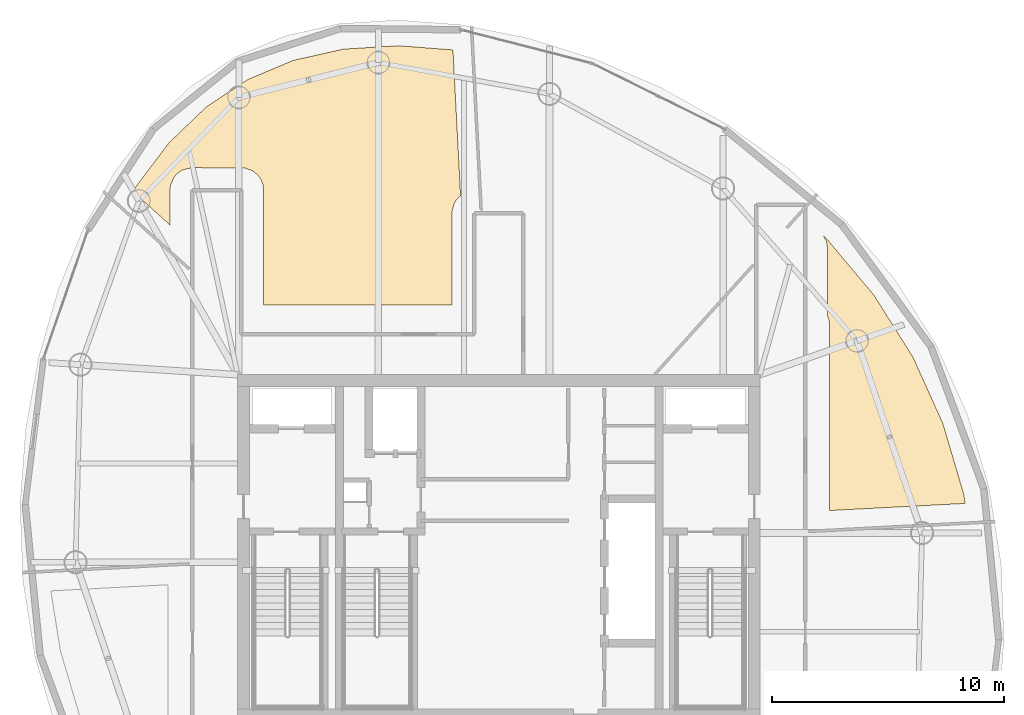
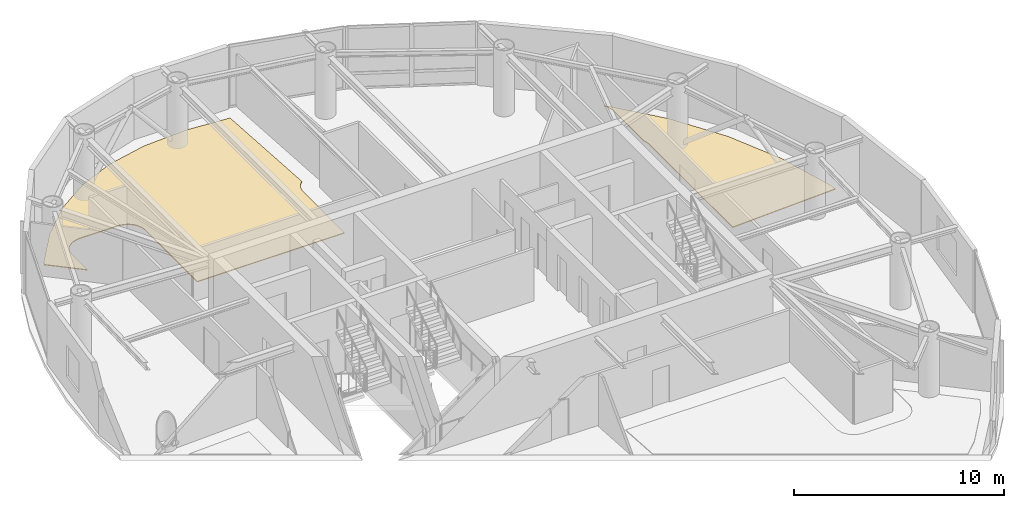
# One storey, part 17 of 17: 2 coverings.
"""IFC4 building model written with IfcOpenShell, lengths in metres."""

from ifc_helpers import new_model, si_unit, direction, frame, origin, place, context, subcontext, project, spatial, polyline, outline, extrude, material, layer, layer_set, type_object, element, save


model = new_model("IFC4")

# Units and contexts
model_context = context("Model", 3, precision=1e-05, world=origin(), true_north=direction((0.0, 1.0)))
body_context = subcontext(model_context, "Body", "Model", "MODEL_VIEW")
ifc_project = project(units=[si_unit("LENGTHUNIT", "METRE"), si_unit("AREAUNIT", "SQUARE_METRE"), si_unit("VOLUMEUNIT", "CUBIC_METRE"), si_unit("PLANEANGLEUNIT", "RADIAN"), si_unit("MASSUNIT", "GRAM", prefix="KILO")], contexts=[model_context])

# Site, building, storey
site_placement = place(None, origin())
site = spatial("IfcSite", under=ifc_project, at=site_placement, CompositionType="ELEMENT")
building_placement = place(site_placement, origin())
building = spatial("IfcBuilding", under=site, at=building_placement, Name="Bramvorn Convention Spire", CompositionType="ELEMENT")
storey_placement = place(building_placement, frame((0.0, 0.0, 280.550048828125)))
storey = spatial("IfcBuildingStorey", under=building, at=storey_placement, Name="L71", CompositionType="ELEMENT", Elevation=280.550048828125)

# Coverings
ifc_material = material(Name="Calcium-Sulphate Raised Access Office Floor", Category="steel")
ifc_layer = layer(ifc_material, 0.044921875)
ifc_layer_set = layer_set([ifc_layer], Name="Calcium-Sulphate Raised Access Office Floor - FLR-RAISED-45")
covering_type = type_object("IfcCoveringType", Name="FLR-RAISED-45", PredefinedType="FLOORING", material=ifc_layer_set)
covering_1_placement = place(storey_placement, origin())
element("IfcCovering", 1, at=covering_1_placement, inside=storey, type_object=covering_type, Name="L71 Quantitative Office Desk West 1 raised floor finish", PredefinedType="FLOORING", context=body_context, shape_type="SweptSolid", body=[
    extrude(outline(polyline([(52.109130859375, 39.200927734375), (52.168212890625, 38.91943359375), (52.169921875, 35.95751953125), (52.233642578125, 35.765869140625), (52.25, 35.60009765625), (52.25, 27.597900390625), (58.09228515625, 27.904296875), (58.024658203125, 28.32763671875), (57.129638671875, 31.353515625), (55.836181640625, 34.221435546875), (54.158447265625, 36.883056640625), (52.129150390625, 39.299560546875), (51.98291015625, 39.433837890625), (52.109130859375, 39.200927734375)])), origin(), (0.0, 0.0, 1.0), 0.044921875),
])
covering_2_placement = place(storey_placement, origin())
element("IfcCovering", 2, at=covering_2_placement, inside=storey, type_object=covering_type, Name="L71 Trader Dining Cafe 1 3 raised floor finish", PredefinedType="FLOORING", context=body_context, shape_type="SweptSolid", body=[
    extrude(outline(polyline([(22.3525390625, 41.538818359375), (22.239013671875, 41.3349609375), (23.830078125, 39.902587890625), (23.830078125, 41.39990234375), (23.85791015625, 41.6298828125), (24.0244140625, 41.982421875), (24.153076171875, 42.12255859375), (24.3798828125, 42.274169921875), (24.75830078125, 42.368896484375), (27.03662109375, 42.360107421875), (27.40380859375, 42.228759765625), (27.61474609375, 42.0556640625), (27.73486328125, 41.8935546875), (27.83935546875, 41.641357421875), (27.868896484375, 41.441650390625), (27.8701171875, 36.449951171875), (35.97998046875, 36.449951171875), (35.981689453125, 40.45361328125), (36.07568359375, 40.820068359375), (36.174560546875, 40.982421875), (36.35400390625, 41.16455078125), (36.02490234375, 47.444580078125), (33.678955078125, 47.62451171875), (31.304443359375, 47.47900390625), (29.134521484375, 46.991455078125), (27.16748046875, 46.160400390625), (25.388916015625, 44.978759765625), (23.784423828125, 43.438232421875), (22.3525390625, 41.538818359375)])), origin(), (0.0, 0.0, 1.0), 0.044921875),
])

save(model, "model.ifc")
